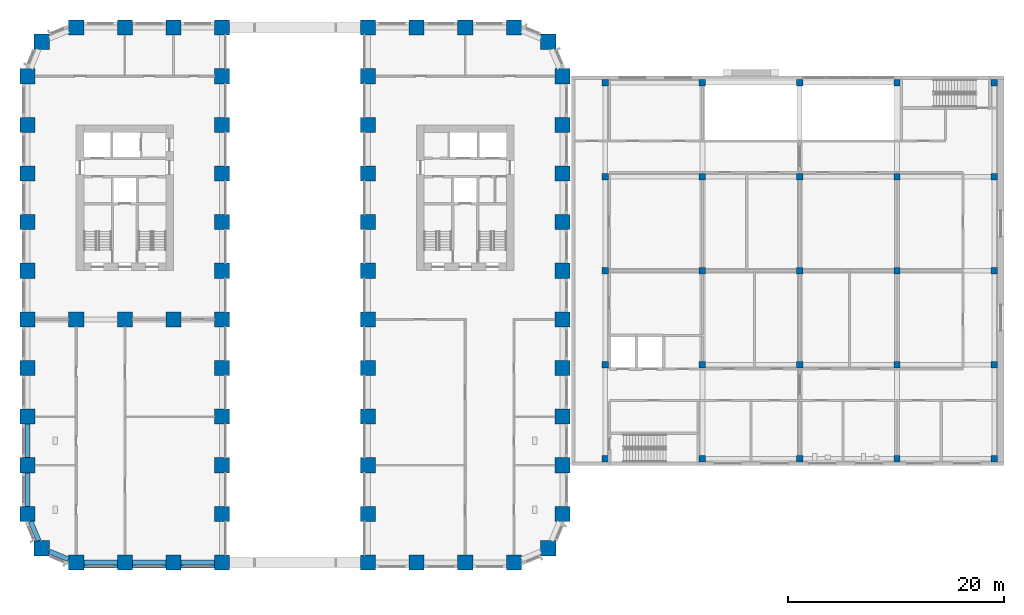
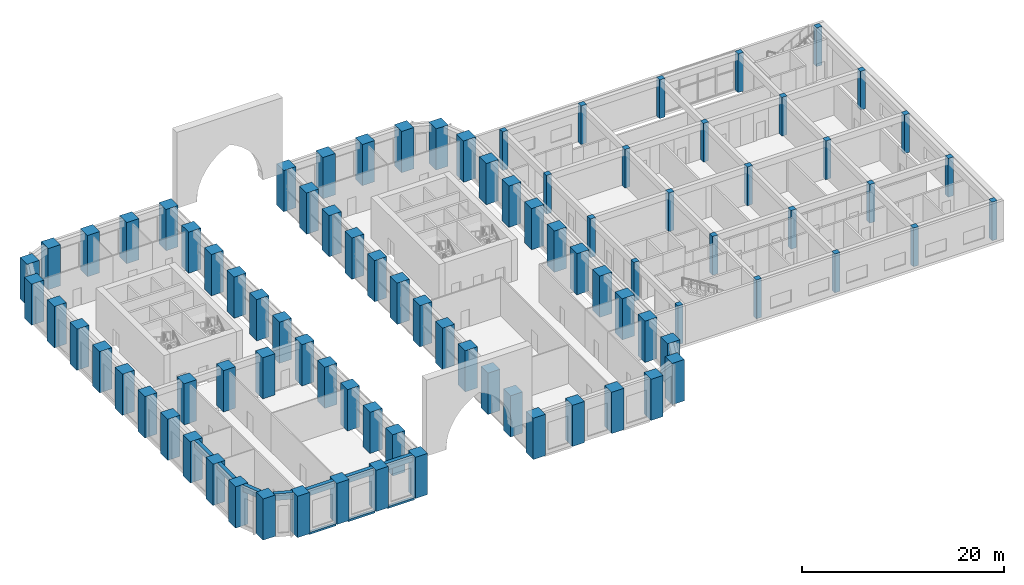
# One storey, part 1 of 25: 88 columns, 10 beams.
"""IFC4 building model written with IfcOpenShell, lengths in metres."""

from ifc_helpers import new_model, si_unit, direction, frame, origin, origin_2d, place, context, subcontext, project, spatial, rectangle, extrude, material, material_profile, profile_set, type_object, element, save


model = new_model("IFC4")

# Units and contexts
model_context = context("Model", 3, precision=1e-05, world=origin(), true_north=direction((0.0, 1.0)))
body_context = subcontext(model_context, "Body", "Model", "MODEL_VIEW")
ifc_project = project(units=[si_unit("LENGTHUNIT", "METRE"), si_unit("AREAUNIT", "SQUARE_METRE"), si_unit("VOLUMEUNIT", "CUBIC_METRE"), si_unit("PLANEANGLEUNIT", "RADIAN"), si_unit("MASSUNIT", "GRAM", prefix="KILO")], contexts=[model_context])

# Site, building, storey
site_placement = place(None, origin())
site = spatial("IfcSite", under=ifc_project, at=site_placement, CompositionType="ELEMENT")
building_placement = place(site_placement, origin())
building = spatial("IfcBuilding", under=site, at=building_placement, Name="Girih Gate Residences", CompositionType="ELEMENT")
storey_placement = place(building_placement, frame((0.0, 0.0, 6.0)))
storey = spatial("IfcBuildingStorey", under=building, at=storey_placement, Name="L01", CompositionType="ELEMENT", Elevation=6.0)

# Columns
ifc_material_1 = material(Name="Concrete C50/60", Category="concrete")
ifc_material_profile_1 = material_profile(ifc_material_1, rectangle(XDim=0.60009765625, YDim=0.60009765625, at=origin_2d()))
ifc_profile_set_1 = profile_set([ifc_material_profile_1], Name="Concrete C50/60")
column_type_1 = type_object("IfcColumnType", Name="HC Column 600x600 C50/60", PredefinedType="COLUMN", material=ifc_profile_set_1)
for number, where, z_axis, x_axis, name in (
    (1, (53.449951171875, 9.60009765625, 0.0), (0.0, 0.0, 1.0), (1.0, 0.0, 0.0), "L01 column H1/HA"),
    (2, (53.449951171875, 18.300048828125, 0.0), (0.0, 0.0, 1.0), (1.0, 0.0, 0.0), "L01 column H1/HB"),
    (3, (53.449951171875, 27.0, 0.0), (0.0, 0.0, 1.0), (1.0, 0.0, 0.0), "L01 column H1/HC"),
    (4, (53.449951171875, 35.699951171875, 0.0), (0.0, 0.0, 1.0), (1.0, 0.0, 0.0), "L01 column H1/HD"),
    (5, (53.449951171875, 44.39990234375, 0.0), (0.0, 0.0, 1.0), (1.0, 0.0, 0.0), "L01 column H1/HE"),
    (6, (62.449951171875, 9.60009765625, 0.0), (0.0, 0.0, 1.0), (1.0, 0.0, 0.0), "L01 column H2/HA"),
    (7, (62.449951171875, 18.300048828125, 0.0), (0.0, 0.0, 1.0), (1.0, 0.0, 0.0), "L01 column H2/HB"),
    (8, (62.449951171875, 27.0, 0.0), (0.0, 0.0, 1.0), (1.0, 0.0, 0.0), "L01 column H2/HC"),
    (9, (62.449951171875, 35.699951171875, 0.0), (0.0, 0.0, 1.0), (1.0, 0.0, 0.0), "L01 column H2/HD"),
    (10, (62.449951171875, 44.39990234375, 0.0), (0.0, 0.0, 1.0), (1.0, 0.0, 0.0), "L01 column H2/HE"),
    (11, (71.449951171875, 9.60009765625, 0.0), (0.0, 0.0, 1.0), (1.0, 0.0, 0.0), "L01 column H3/HA"),
    (12, (71.449951171875, 18.300048828125, 0.0), (0.0, 0.0, 1.0), (1.0, 0.0, 0.0), "L01 column H3/HB"),
    (13, (71.449951171875, 27.0, 0.0), (0.0, 0.0, 1.0), (1.0, 0.0, 0.0), "L01 column H3/HC"),
    (14, (71.449951171875, 35.699951171875, 0.0), (0.0, 0.0, 1.0), (1.0, 0.0, 0.0), "L01 column H3/HD"),
    (15, (71.449951171875, 44.39990234375, 0.0), (0.0, 0.0, 1.0), (1.0, 0.0, 0.0), "L01 column H3/HE"),
    (16, (80.449951171875, 9.60009765625, 0.0), (0.0, 0.0, 1.0), (1.0, 0.0, 0.0), "L01 column H4/HA"),
    (17, (80.449951171875, 18.300048828125, 0.0), (0.0, 0.0, 1.0), (1.0, 0.0, 0.0), "L01 column H4/HB"),
    (18, (80.449951171875, 27.0, 0.0), (0.0, 0.0, 1.0), (1.0, 0.0, 0.0), "L01 column H4/HC"),
    (19, (80.449951171875, 35.699951171875, 0.0), (0.0, 0.0, 1.0), (1.0, 0.0, 0.0), "L01 column H4/HD"),
    (20, (80.449951171875, 44.39990234375, 0.0), (0.0, 0.0, 1.0), (1.0, 0.0, 0.0), "L01 column H4/HE"),
    (21, (89.449951171875, 9.60009765625, 0.0), (0.0, 0.0, 1.0), (1.0, 0.0, 0.0), "L01 column H5/HA"),
    (22, (89.449951171875, 18.300048828125, 0.0), (0.0, 0.0, 1.0), (1.0, 0.0, 0.0), "L01 column H5/HB"),
    (23, (89.449951171875, 27.0, 0.0), (0.0, 0.0, 1.0), (1.0, 0.0, 0.0), "L01 column H5/HC"),
    (24, (89.449951171875, 35.699951171875, 0.0), (0.0, 0.0, 1.0), (1.0, 0.0, 0.0), "L01 column H5/HD"),
    (25, (89.449951171875, 44.39990234375, 0.0), (0.0, 0.0, 1.0), (1.0, 0.0, 0.0), "L01 column H5/HE"),
):
    element("IfcColumn", number, at=place(storey_placement, frame(where, z_axis=z_axis, x_axis=x_axis)), inside=storey, type_object=column_type_1, Name=name, PredefinedType="COLUMN", context=body_context, shape_type="SweptSolid", body=[
        extrude(rectangle(XDim=0.60009765625, YDim=0.60009765625, at=origin_2d()), origin(), (0.0, 0.0, 1.0), 4.699951171875),
    ])
ifc_material_2 = material(Name="Concrete C80/95", Category="concrete")
ifc_material_profile_2 = material_profile(ifc_material_2, rectangle(XDim=1.39990234375, YDim=1.39990234375, at=origin_2d()))
ifc_profile_set_2 = profile_set([ifc_material_profile_2], Name="Concrete C80/95")
column_type_2 = type_object("IfcColumnType", Name="Pier RC 1400x1400 Concrete C80/95", PredefinedType="COLUMN", material=ifc_profile_set_2)
for number, where, z_axis, x_axis, name in (
    (26, (4.5, 0.0, 0.0), (0.0, 0.0, 1.0), (1.0, 0.0, 0.0), "Pier P2A L01"),
    (27, (9.0, 0.0, 0.0), (0.0, 0.0, 1.0), (1.0, 0.0, 0.0), "Pier P3A L01"),
    (28, (13.5, 0.0, 0.0), (0.0, 0.0, 1.0), (1.0, 0.0, 0.0), "Pier P4A L01"),
    (29, (18.0, 0.0, 0.0), (0.0, 0.0, 1.0), (1.0, 0.0, 0.0), "Pier P5A L01"),
    (30, (31.5, 0.0, 0.0), (0.0, 0.0, 1.0), (1.0, 0.0, 0.0), "Pier P8A L01"),
    (31, (36.0, 0.0, 0.0), (0.0, 0.0, 1.0), (1.0, 0.0, 0.0), "Pier P9A L01"),
    (32, (40.5, 0.0, 0.0), (0.0, 0.0, 1.0), (1.0, 0.0, 0.0), "Pier P10A L01"),
    (33, (45.0, 0.0, 0.0), (0.0, 0.0, 1.0), (1.0, 0.0, 0.0), "Pier P11A L01"),
    (34, (1.318115234375, 1.318115234375, 0.0), (0.0, 0.0, 1.0), (1.0, 0.0, 0.0), "Pier P1ANE L01"),
    (35, (48.181884765625, 1.318115234375, 0.0), (0.0, 0.0, 1.0), (1.0, 0.0, 0.0), "Pier P12ANW L01"),
    (36, (0.0, 4.5, 0.0), (0.0, 0.0, 1.0), (1.0, 0.0, 0.0), "Pier P1B L01"),
    (37, (18.0, 4.5, 0.0), (0.0, 0.0, 1.0), (1.0, 0.0, 0.0), "Pier P5B L01"),
    (38, (31.5, 4.5, 0.0), (0.0, 0.0, 1.0), (1.0, 0.0, 0.0), "Pier P8B L01"),
    (39, (49.5, 4.5, 0.0), (0.0, 0.0, 1.0), (1.0, 0.0, 0.0), "Pier P12B L01"),
    (40, (0.0, 9.0, 0.0), (0.0, 0.0, 1.0), (1.0, 0.0, 0.0), "Pier P1C L01"),
    (41, (18.0, 9.0, 0.0), (0.0, 0.0, 1.0), (1.0, 0.0, 0.0), "Pier P5C L01"),
    (42, (31.5, 9.0, 0.0), (0.0, 0.0, 1.0), (1.0, 0.0, 0.0), "Pier P8C L01"),
    (43, (49.5, 9.0, 0.0), (0.0, 0.0, 1.0), (1.0, 0.0, 0.0), "Pier P12C L01"),
    (44, (0.0, 13.5, 0.0), (0.0, 0.0, 1.0), (1.0, 0.0, 0.0), "Pier P1D L01"),
    (45, (18.0, 13.5, 0.0), (0.0, 0.0, 1.0), (1.0, 0.0, 0.0), "Pier P5D L01"),
    (46, (31.5, 13.5, 0.0), (0.0, 0.0, 1.0), (1.0, 0.0, 0.0), "Pier P8D L01"),
    (47, (49.5, 13.5, 0.0), (0.0, 0.0, 1.0), (1.0, 0.0, 0.0), "Pier P12D L01"),
    (48, (0.0, 18.0, 0.0), (0.0, 0.0, 1.0), (1.0, 0.0, 0.0), "Pier P1E L01"),
    (49, (18.0, 18.0, 0.0), (0.0, 0.0, 1.0), (1.0, 0.0, 0.0), "Pier P5E L01"),
    (50, (31.5, 18.0, 0.0), (0.0, 0.0, 1.0), (1.0, 0.0, 0.0), "Pier P8E L01"),
    (51, (49.5, 18.0, 0.0), (0.0, 0.0, 1.0), (1.0, 0.0, 0.0), "Pier P12E L01"),
    (52, (0.0, 22.5, 0.0), (0.0, 0.0, 1.0), (1.0, 0.0, 0.0), "Pier P1F L01"),
    (53, (4.5, 22.5, 0.0), (0.0, 0.0, 1.0), (1.0, 0.0, 0.0), "Pier P2F L01"),
    (54, (9.0, 22.5, 0.0), (0.0, 0.0, 1.0), (1.0, 0.0, 0.0), "Pier P3F L01"),
    (55, (13.5, 22.5, 0.0), (0.0, 0.0, 1.0), (1.0, 0.0, 0.0), "Pier P4F L01"),
    (56, (18.0, 22.5, 0.0), (0.0, 0.0, 1.0), (1.0, 0.0, 0.0), "Pier P5F L01"),
    (57, (31.5, 22.5, 0.0), (0.0, 0.0, 1.0), (1.0, 0.0, 0.0), "Pier P8F L01"),
    (58, (49.5, 22.5, 0.0), (0.0, 0.0, 1.0), (1.0, 0.0, 0.0), "Pier P12F L01"),
    (59, (0.0, 27.0, 0.0), (0.0, 0.0, 1.0), (1.0, 0.0, 0.0), "Pier P1G L01"),
    (60, (18.0, 27.0, 0.0), (0.0, 0.0, 1.0), (1.0, 0.0, 0.0), "Pier P5G L01"),
    (61, (31.5, 27.0, 0.0), (0.0, 0.0, 1.0), (1.0, 0.0, 0.0), "Pier P8G L01"),
    (62, (49.5, 27.0, 0.0), (0.0, 0.0, 1.0), (1.0, 0.0, 0.0), "Pier P12G L01"),
    (63, (0.0, 31.5, 0.0), (0.0, 0.0, 1.0), (1.0, 0.0, 0.0), "Pier P1H L01"),
    (64, (18.0, 31.5, 0.0), (0.0, 0.0, 1.0), (1.0, 0.0, 0.0), "Pier P5H L01"),
    (65, (31.5, 31.5, 0.0), (0.0, 0.0, 1.0), (1.0, 0.0, 0.0), "Pier P8H L01"),
    (66, (49.5, 31.5, 0.0), (0.0, 0.0, 1.0), (1.0, 0.0, 0.0), "Pier P12H L01"),
    (67, (0.0, 36.0, 0.0), (0.0, 0.0, 1.0), (1.0, 0.0, 0.0), "Pier P1I L01"),
    (68, (18.0, 36.0, 0.0), (0.0, 0.0, 1.0), (1.0, 0.0, 0.0), "Pier P5I L01"),
    (69, (31.5, 36.0, 0.0), (0.0, 0.0, 1.0), (1.0, 0.0, 0.0), "Pier P8I L01"),
    (70, (49.5, 36.0, 0.0), (0.0, 0.0, 1.0), (1.0, 0.0, 0.0), "Pier P12I L01"),
    (71, (0.0, 40.5, 0.0), (0.0, 0.0, 1.0), (1.0, 0.0, 0.0), "Pier P1J L01"),
    (72, (18.0, 40.5, 0.0), (0.0, 0.0, 1.0), (1.0, 0.0, 0.0), "Pier P5J L01"),
    (73, (31.5, 40.5, 0.0), (0.0, 0.0, 1.0), (1.0, 0.0, 0.0), "Pier P8J L01"),
    (74, (49.5, 40.5, 0.0), (0.0, 0.0, 1.0), (1.0, 0.0, 0.0), "Pier P12J L01"),
    (75, (0.0, 45.0, 0.0), (0.0, 0.0, 1.0), (1.0, 0.0, 0.0), "Pier P1K L01"),
    (76, (18.0, 45.0, 0.0), (0.0, 0.0, 1.0), (1.0, 0.0, 0.0), "Pier P5K L01"),
    (77, (31.5, 45.0, 0.0), (0.0, 0.0, 1.0), (1.0, 0.0, 0.0), "Pier P8K L01"),
    (78, (49.5, 45.0, 0.0), (0.0, 0.0, 1.0), (1.0, 0.0, 0.0), "Pier P12K L01"),
    (79, (1.318115234375, 48.181884765625, 0.0), (0.0, 0.0, 1.0), (1.0, 0.0, 0.0), "Pier P1LSE L01"),
    (80, (48.181884765625, 48.181884765625, 0.0), (0.0, 0.0, 1.0), (1.0, 0.0, 0.0), "Pier P12LSW L01"),
    (81, (4.5, 49.5, 0.0), (0.0, 0.0, 1.0), (1.0, 0.0, 0.0), "Pier P2L L01"),
    (82, (9.0, 49.5, 0.0), (0.0, 0.0, 1.0), (1.0, 0.0, 0.0), "Pier P3L L01"),
    (83, (13.5, 49.5, 0.0), (0.0, 0.0, 1.0), (1.0, 0.0, 0.0), "Pier P4L L01"),
    (84, (18.0, 49.5, 0.0), (0.0, 0.0, 1.0), (1.0, 0.0, 0.0), "Pier P5L L01"),
    (85, (31.5, 49.5, 0.0), (0.0, 0.0, 1.0), (1.0, 0.0, 0.0), "Pier P8L L01"),
    (86, (36.0, 49.5, 0.0), (0.0, 0.0, 1.0), (1.0, 0.0, 0.0), "Pier P9L L01"),
    (87, (40.5, 49.5, 0.0), (0.0, 0.0, 1.0), (1.0, 0.0, 0.0), "Pier P10L L01"),
    (88, (45.0, 49.5, 0.0), (0.0, 0.0, 1.0), (1.0, 0.0, 0.0), "Pier P11L L01"),
):
    element("IfcColumn", number, at=place(storey_placement, frame(where, z_axis=z_axis, x_axis=x_axis)), inside=storey, type_object=column_type_2, Name=name, PredefinedType="COLUMN", context=body_context, shape_type="SweptSolid", body=[
        extrude(rectangle(XDim=1.39990234375, YDim=1.39990234375, at=origin_2d()), origin(), (0.0, 0.0, 1.0), 5.0),
    ])

# Beams
ifc_material_profile_3 = material_profile(ifc_material_1, rectangle(XDim=0.300048828125, YDim=0.25, at=origin_2d()))
ifc_profile_set_3 = profile_set([ifc_material_profile_3], Name="Concrete C50/60")
beam_type_1 = type_object("IfcBeamType", Name="Facade ledge RC 300x250 Concrete C50/60", PredefinedType="BEAM", material=ifc_profile_set_3)
for number, where, z_axis, x_axis, name in (
    (89, (5.199951171875, -0.375, -0.125), (1.0, 0.0, 0.0), (0.0, 1.0, 0.0), "Facade ledge S0045_0000.0 L01"),
    (90, (9.699951171875, -0.375, -0.125), (1.0, 0.0, 0.0), (0.0, 1.0, 0.0), "Facade ledge S0045_0000.1 L01"),
    (91, (14.199951171875, -0.375, -0.125), (1.0, 0.0, 0.0), (0.0, 1.0, 0.0), "Facade ledge S0045_0000.2 L01"),
):
    element("IfcBeam", number, at=place(storey_placement, frame(where, z_axis=z_axis, x_axis=x_axis)), inside=storey, type_object=beam_type_1, Name=name, PredefinedType="BEAM", context=body_context, shape_type="SweptSolid", body=[
        extrude(rectangle(XDim=0.300048828125, YDim=0.25, at=origin_2d()), origin(), (0.0, 0.0, 1.0), 3.10009765625),
    ])
ifc_material_3 = material(Name="Concrete C60/75", Category="concrete")
ifc_material_profile_4 = material_profile(ifc_material_3, rectangle(XDim=0.449951171875, YDim=0.800048828125, at=origin_2d()))
ifc_profile_set_4 = profile_set([ifc_material_profile_4], Name="Concrete C60/75")
beam_type_2 = type_object("IfcBeamType", Name="Spandrel girder RC 450x800 Concrete C60/75", PredefinedType="BEAM", material=ifc_profile_set_4)
for number, where, z_axis, x_axis, name in (
    (92, (0.0, 12.800048828125, 4.60009765625), (0.0, -1.0, 0.0), (1.0, 0.0, 0.0), "Spandrel girder SP-P1D-P1C L01"),
    (93, (0.0, 8.300048828125, 4.60009765625), (0.0, -1.0, 0.0), (1.0, 0.0, 0.0), "Spandrel girder SP-P1C-P1B L01"),
):
    element("IfcBeam", number, at=place(storey_placement, frame(where, z_axis=z_axis, x_axis=x_axis)), inside=storey, type_object=beam_type_2, Name=name, PredefinedType="BEAM", context=body_context, shape_type="SweptSolid", body=[
        extrude(rectangle(XDim=0.449951171875, YDim=0.800048828125, at=origin_2d()), origin(), (0.0, 0.0, 1.0), 3.10009765625),
    ])
for number, where, z_axis, x_axis, name in (
    (94, (0.2900390625, 3.800048828125, 4.60009765625), (0.382646180293, -0.923894961945, 0.0), (0.923894961945, 0.382646180293, 0.0), "Spandrel girder SP-P1B-P1ANE L01"),
    (95, (2.01806640625, 1.028076171875, 4.60009765625), (0.923894961945, -0.382646180293, 0.0), (0.382646180293, 0.923894961945, 0.0), "Spandrel girder SP-P1ANE-P2A L01"),
):
    element("IfcBeam", number, at=place(storey_placement, frame(where, z_axis=z_axis, x_axis=x_axis)), inside=storey, type_object=beam_type_2, Name=name, PredefinedType="BEAM", context=body_context, shape_type="SweptSolid", body=[
        extrude(rectangle(XDim=0.449951171875, YDim=0.800048828125, at=origin_2d()), origin(), (0.0, 0.0, 1.0), 1.9287109375),
    ])
for number, where, z_axis, x_axis, name in (
    (96, (5.199951171875, 0.0, 4.60009765625), (1.0, 0.0, 0.0), (0.0, 1.0, 0.0), "Spandrel girder SP-P2A-P3A L01"),
    (97, (9.699951171875, 0.0, 4.60009765625), (1.0, 0.0, 0.0), (0.0, 1.0, 0.0), "Spandrel girder SP-P3A-P4A L01"),
    (98, (14.199951171875, 0.0, 4.60009765625), (1.0, 0.0, 0.0), (0.0, 1.0, 0.0), "Spandrel girder SP-P4A-P5A L01"),
):
    element("IfcBeam", number, at=place(storey_placement, frame(where, z_axis=z_axis, x_axis=x_axis)), inside=storey, type_object=beam_type_2, Name=name, PredefinedType="BEAM", context=body_context, shape_type="SweptSolid", body=[
        extrude(rectangle(XDim=0.449951171875, YDim=0.800048828125, at=origin_2d()), origin(), (0.0, 0.0, 1.0), 3.10009765625),
    ])

save(model, "model.ifc")
